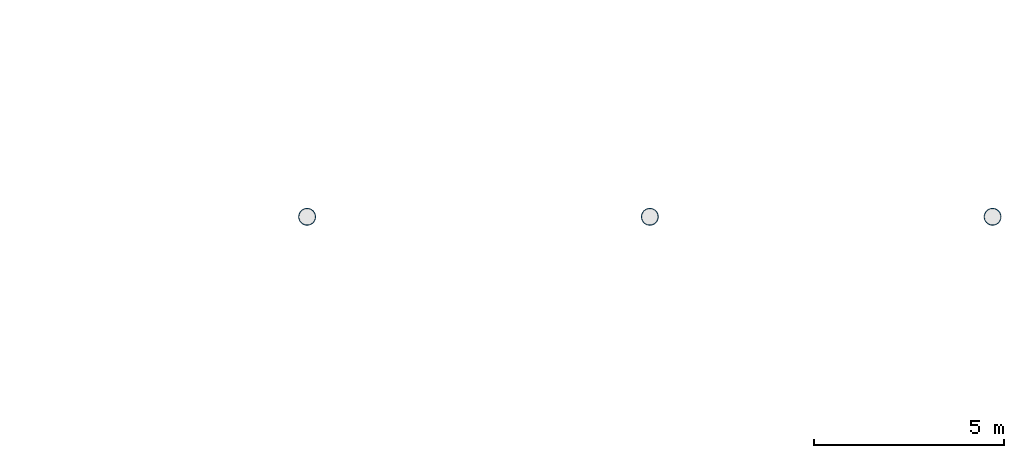
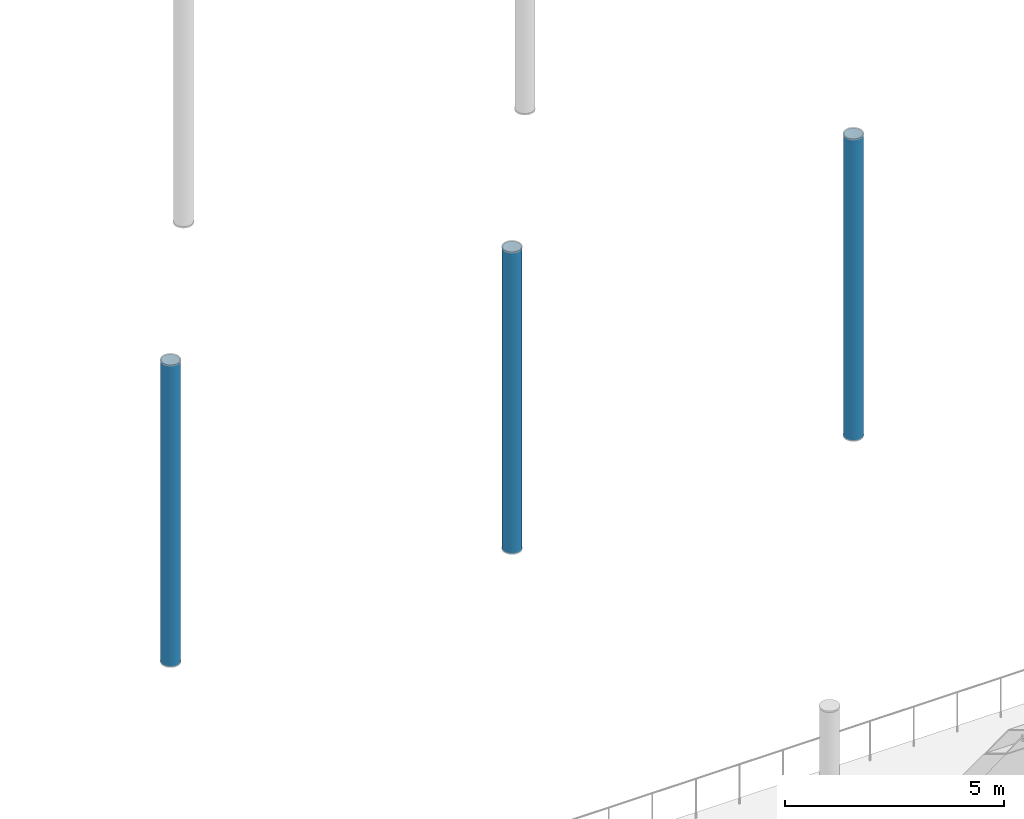
# One storey, part 20 of 143: 3 columns.
"""IFC4 building model written with IfcOpenShell, lengths in metres."""

import ifcopenshell
import ifcopenshell.guid

model = None  # the IFC model being written
_history = None  # IfcOwnerHistory: only IFC2X3 demands one
_inside = {}  # id of a spatial element -> (the spatial element, [elements in it])
_under = {}  # id of a project, library or spatial element -> (it, [spatial elements below it])
_declared = {}  # id of a project -> (the project, [libraries it declares])
_typed = {}  # id of a type object -> (the type object, [elements of that type])
_made_of = {}  # id of a material, layer set ... -> (it, [elements and type objects made of it])


def new_model(schema):
    """Start an empty IFC model of exactly this schema.

    Asked for "IFC4X3", IfcOpenShell would pick the latest addendum, in which some entities
    have other attributes; the version numbers below select the first issue.
    IFC2X3 requires an IfcOwnerHistory on every rooted entity: one is made here for all.
    """
    global model, _history
    if schema == "IFC4X3":
        model = ifcopenshell.file(schema_version=(4, 3, 0, 0))
    else:
        model = ifcopenshell.file(schema=schema)
    _inside.clear()
    _under.clear()
    _declared.clear()
    _typed.clear()
    _made_of.clear()
    _history = None
    if model.schema == "IFC2X3":
        org = make("IfcOrganization", Name="unknown")
        user = make(
            "IfcPersonAndOrganization",
            ThePerson=make("IfcPerson", FamilyName="unknown"),
            TheOrganization=org,
        )
        app = make(
            "IfcApplication",
            ApplicationDeveloper=org,
            Version="unknown",
            ApplicationFullName="unknown",
            ApplicationIdentifier="unknown",
        )
        _history = make(
            "IfcOwnerHistory",
            OwningUser=user,
            OwningApplication=app,
            ChangeAction="ADDED",
            CreationDate=0,
        )
    return model


def make(cls, **values):
    """One entity of the class cls with the attributes given. An attribute that is None is left unset."""
    return model.create_entity(
        cls, **{name: value for name, value in values.items() if value is not None}
    )


def rooted(cls, **values):
    """An entity with a GlobalId (a new one), such as an element, a storey or a relation."""
    return make(cls, GlobalId=ifcopenshell.guid.new(), OwnerHistory=_history, **values)


def si_unit(unit_type, name, prefix=None):
    """IfcSIUnit, for example si_unit("LENGTHUNIT", "METRE", prefix="MILLI")."""
    return make("IfcSIUnit", UnitType=unit_type, Prefix=prefix, Name=name)


def assignment(units):
    """IfcUnitAssignment: the units of a project."""
    return None if units is None else make("IfcUnitAssignment", Units=units)


def point(xyz):
    """IfcCartesianPoint."""
    return None if xyz is None else make("IfcCartesianPoint", Coordinates=xyz)


def direction(xyz):
    """IfcDirection."""
    return None if xyz is None else make("IfcDirection", DirectionRatios=xyz)


def frame(location, z_axis=None, x_axis=None):
    """IfcAxis2Placement3D, a coordinate frame: its origin and axes. An axis left out is left unset."""
    return make(
        "IfcAxis2Placement3D",
        Location=point(location),
        Axis=direction(z_axis),
        RefDirection=direction(x_axis),
    )


def frame_2d(location, x_axis=None):
    """IfcAxis2Placement2D, a coordinate frame in the plane: its origin and x axis."""
    return make(
        "IfcAxis2Placement2D", Location=point(location), RefDirection=direction(x_axis)
    )


def origin():
    """The frame at (0, 0, 0) with its axes left unset."""
    return frame((0.0, 0.0, 0.0))


def origin_2d():
    """The frame at (0, 0) in the plane with its x axis left unset."""
    return frame_2d((0.0, 0.0))


def place(relative_to, where):
    """IfcLocalPlacement: puts the frame where relative to a parent placement (None: the world)."""
    return make(
        "IfcLocalPlacement", PlacementRelTo=relative_to, RelativePlacement=where
    )


def context(
    kind, dimensions, precision=None, world=None, true_north=None, identifier=None
):
    """IfcGeometricRepresentationContext, for example the 3D "Model" context."""
    return make(
        "IfcGeometricRepresentationContext",
        ContextIdentifier=identifier,
        ContextType=kind,
        CoordinateSpaceDimension=dimensions,
        Precision=precision,
        WorldCoordinateSystem=world,
        TrueNorth=true_north,
    )


def subcontext(parent, identifier, kind, view, scale=None):
    """IfcGeometricRepresentationSubContext, for example "Body" below "Model"."""
    return make(
        "IfcGeometricRepresentationSubContext",
        ContextIdentifier=identifier,
        ContextType=kind,
        ParentContext=parent,
        TargetScale=scale,
        TargetView=view,
    )


def project(units=None, contexts=None):
    """IfcProject with its units and contexts."""
    return rooted(
        "IfcProject",
        Name="project",
        RepresentationContexts=contexts,
        UnitsInContext=assignment(units),
    )


def spatial(cls, under=None, at=None, **own):
    """A site, building, storey or space (cls), placed at a placement, below another one or the project."""
    s = rooted(cls, ObjectPlacement=at, **own)
    if under is not None:
        _under.setdefault(under.id(), (under, []))[1].append(s)
    return s


def profile(cls, at=None, kind="AREA", **sizes):
    """A parametric profile (cls). Its sizes go by their IFC names, for example OverallWidth=200.0."""
    return make(cls, ProfileType=kind, Position=at, **sizes)


def hollow_circle(**sizes):
    """IfcCircleHollowProfileDef."""
    return profile("IfcCircleHollowProfileDef", **sizes)


def extrude(swept, where, along, depth):
    """IfcExtrudedAreaSolid: the profile swept, set in the frame where, extruded along a direction by depth."""
    return make(
        "IfcExtrudedAreaSolid",
        SweptArea=swept,
        Position=where,
        ExtrudedDirection=direction(along),
        Depth=depth,
    )


def shape(context_of_items, identifier, shape_type, items):
    """IfcShapeRepresentation: the items that make up one representation, for example the "Body"."""
    return make(
        "IfcShapeRepresentation",
        ContextOfItems=context_of_items,
        RepresentationIdentifier=identifier,
        RepresentationType=shape_type,
        Items=items,
    )


def material(Name=None, Category=None):
    """IfcMaterial."""
    return make("IfcMaterial", Name=Name, Category=Category)


def material_profile(
    of_material, cross_section, Name=None, Category=None, Priority=None
):
    """IfcMaterialProfile: a cross section and its material."""
    return make(
        "IfcMaterialProfile",
        Name=Name,
        Material=of_material,
        Profile=cross_section,
        Priority=Priority,
        Category=Category,
    )


def profile_set(profiles, Name=None, composite=None):
    """IfcMaterialProfileSet."""
    return make(
        "IfcMaterialProfileSet",
        Name=Name,
        MaterialProfiles=profiles,
        CompositeProfile=composite,
    )


def made_of(thing, what):
    """Note that an element or type object is made of a material, layer set ...; save() writes the relation."""
    if what is not None:
        _made_of.setdefault(what.id(), (what, []))[1].append(thing)
    return thing


def type_object(cls, material=None, **own):
    """A type object (cls), such as IfcWallType, which elements share."""
    return made_of(rooted(cls, **own), material)


def element(
    cls,
    number,
    at=None,
    inside=None,
    cuts=None,
    type_object=None,
    material=None,
    context=None,
    identifier="Body",
    shape_type=None,
    held_by="IfcProductDefinitionShape",
    body=None,
    shapes=None,
    **own,
):
    """One element of the class cls, such as IfcWall. Its Tag is "e" and its number.

    at: its placement. inside: the storey or other place that contains it. cuts: it is an
    opening in that element (IfcRelVoidsElement). A single representation is given by context,
    identifier, shape_type and body (its items); several are given by shapes. held_by: the class
    of the entity that holds the representations. save() writes the other relations.
    """
    e = rooted(cls, Tag="e%d" % number, ObjectPlacement=at, **own)
    if body is not None:
        shapes = [shape(context, identifier, shape_type, body)]
    if shapes is not None:
        e.Representation = make(held_by, Representations=shapes)
    if inside is not None:
        _inside.setdefault(inside.id(), (inside, []))[1].append(e)
    if cuts is not None:
        rooted(
            "IfcRelVoidsElement", RelatingBuildingElement=cuts, RelatedOpeningElement=e
        )
    if type_object is not None:
        _typed.setdefault(type_object.id(), (type_object, []))[1].append(e)
    return made_of(e, material)


def aggregate(whole, parts):
    """IfcRelAggregates: a whole, such as a stair, and the parts it consists of."""
    return rooted("IfcRelAggregates", RelatingObject=whole, RelatedObjects=parts)


def save(model, path):
    """Write the relations noted so far, then the file.

    IfcRelAggregates (storeys below a building ...), IfcRelContainedInSpatialStructure (elements
    in a storey), IfcRelDefinesByType, IfcRelAssociatesMaterial and IfcRelDeclares: one each for
    every whole, place, type object, material and project.
    """
    for whole, parts in _under.values():
        aggregate(whole, parts)
    for where, things in _inside.values():
        rooted(
            "IfcRelContainedInSpatialStructure",
            RelatedElements=things,
            RelatingStructure=where,
        )
    for kind, things in _typed.values():
        rooted("IfcRelDefinesByType", RelatedObjects=things, RelatingType=kind)
    for what, things in _made_of.values():
        rooted("IfcRelAssociatesMaterial", RelatedObjects=things, RelatingMaterial=what)
    for by, libraries in _declared.values():
        rooted("IfcRelDeclares", RelatingContext=by, RelatedDefinitions=libraries)
    model.write(path)


model = new_model("IFC4")

# Units and contexts
model_context = context("Model", 3, precision=1e-05, world=origin(), true_north=direction((0.0, 1.0)))
body_context = subcontext(model_context, "Body", "Model", "MODEL_VIEW")
ifc_project = project(units=[si_unit("LENGTHUNIT", "METRE"), si_unit("AREAUNIT", "SQUARE_METRE"), si_unit("VOLUMEUNIT", "CUBIC_METRE"), si_unit("PLANEANGLEUNIT", "RADIAN"), si_unit("MASSUNIT", "GRAM", prefix="KILO")], contexts=[model_context])

# Site, building, storey
site_placement = place(None, origin())
site = spatial("IfcSite", under=ifc_project, at=site_placement, CompositionType="ELEMENT")
building_placement = place(site_placement, origin())
building = spatial("IfcBuilding", under=site, at=building_placement, Name="Marlcrest Central Station", CompositionType="ELEMENT")
storey_placement = place(building_placement, frame((0.0, 0.0, 4.800048828125)))
storey = spatial("IfcBuildingStorey", under=building, at=storey_placement, Name="L01", CompositionType="ELEMENT", Elevation=4.800048828125)

# Columns
ifc_material = material(Name="Steel S355", Category="steel")
ifc_material_profile = material_profile(ifc_material, hollow_circle(Radius=0.228515625, WallThickness=0.02001953125, at=origin_2d()), Name="CHS 457x20")
ifc_profile_set = profile_set([ifc_material_profile], Name="Steel S355")
column_type = type_object("IfcColumnType", Name="SC-11", PredefinedType="COLUMN", material=ifc_profile_set)
for number, where, z_axis, x_axis, name in (
    (1, (198.0, 51.0, 0.0), (0.0, 0.0, 1.0), (1.0, 0.0, 0.0), "col-SC-11-L01-0581"),
    (2, (207.0, 51.0, 0.0), (0.0, 0.0, 1.0), (1.0, 0.0, 0.0), "col-SC-11-L01-0592"),
    (3, (216.0, 51.0, 0.0), (0.0, 0.0, 1.0), (1.0, 0.0, 0.0), "col-SC-11-L01-0603"),
):
    element("IfcColumn", number, at=place(storey_placement, frame(where, z_axis=z_axis, x_axis=x_axis)), inside=storey, type_object=column_type, Name=name, PredefinedType="COLUMN", context=body_context, shape_type="SweptSolid", body=[
        extrude(hollow_circle(Radius=0.228515625, WallThickness=0.02001953125, at=origin_2d()), origin(), (0.0, 0.0, 1.0), 8.40380859375),
    ])

save(model, "model.ifc")
